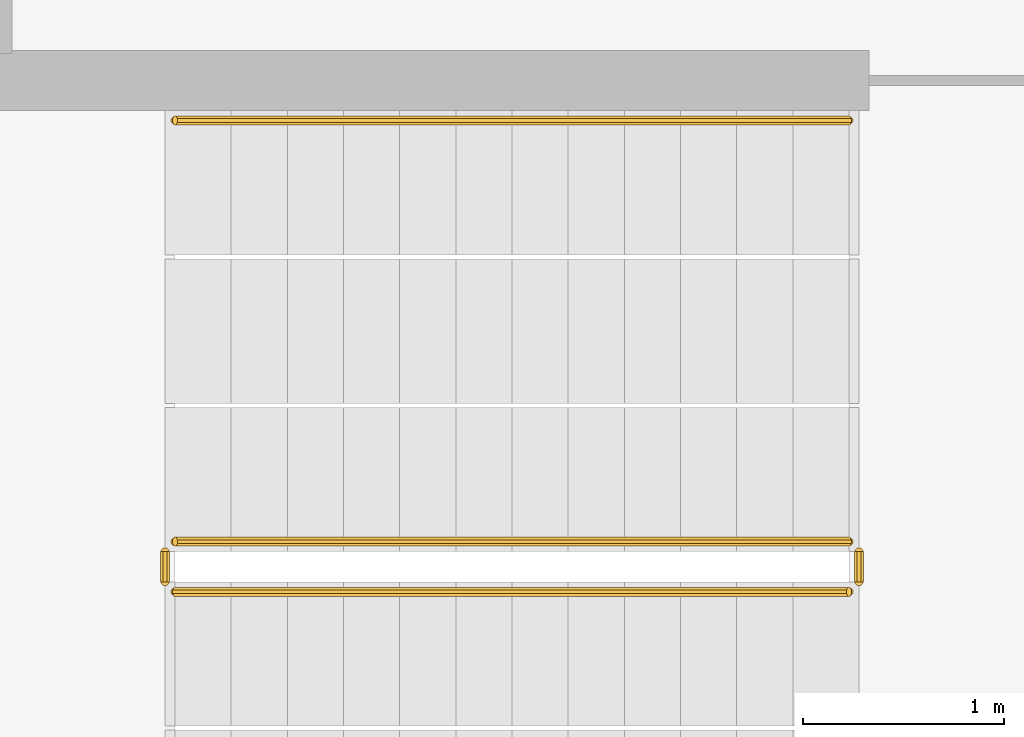
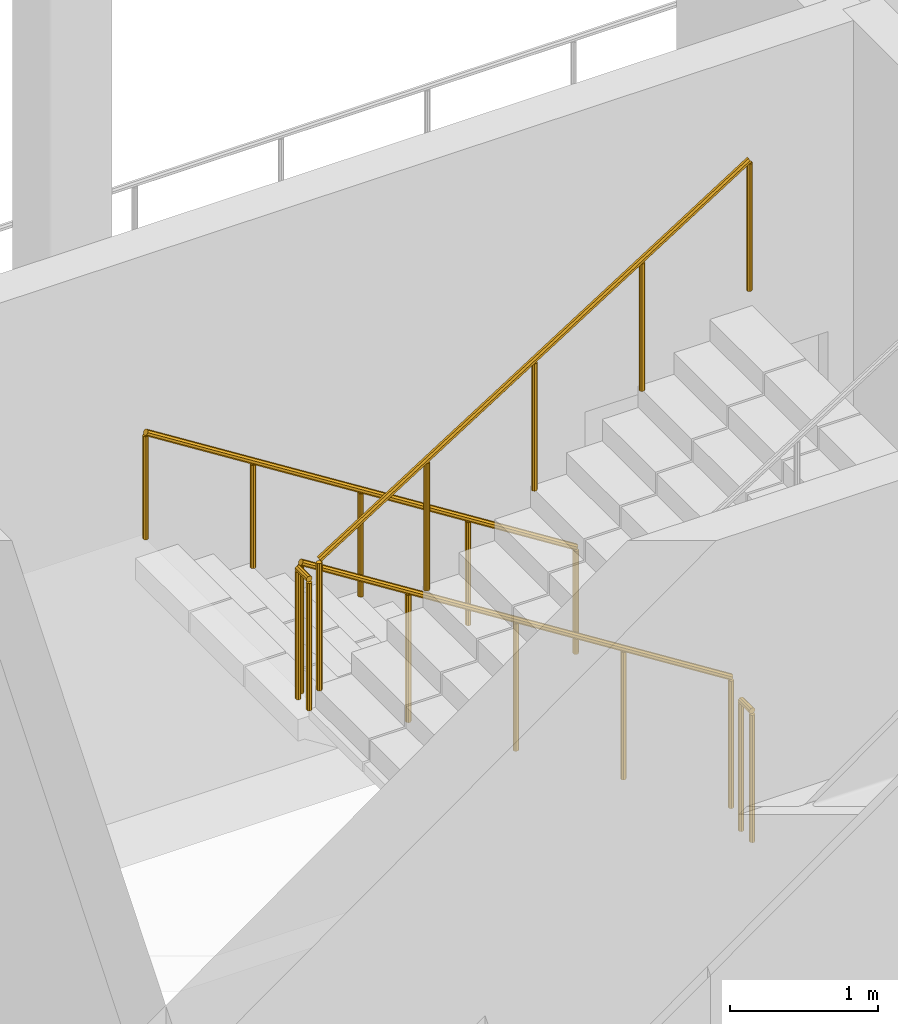
# One storey, part 22 of 31: 5 railings.
"""IFC4 building model written with IfcOpenShell, lengths in metres."""

from ifc_helpers import new_model, si_unit, direction, frame, origin, place, context, subcontext, project, spatial, polyline, outline, extrude, material, type_object, element, save


model = new_model("IFC4")

# Units and contexts
model_context = context("Model", 3, precision=1e-05, world=origin(), true_north=direction((0.0, 1.0)))
body_context = subcontext(model_context, "Body", "Model", "MODEL_VIEW")
ifc_project = project(units=[si_unit("LENGTHUNIT", "METRE"), si_unit("AREAUNIT", "SQUARE_METRE"), si_unit("VOLUMEUNIT", "CUBIC_METRE"), si_unit("PLANEANGLEUNIT", "RADIAN"), si_unit("MASSUNIT", "GRAM", prefix="KILO")], contexts=[model_context])

# Site, building, storey
site_placement = place(None, origin())
site = spatial("IfcSite", under=ifc_project, at=site_placement, CompositionType="ELEMENT")
building_placement = place(site_placement, origin())
building = spatial("IfcBuilding", under=site, at=building_placement, Name="Cormorant Relay Tower", CompositionType="ELEMENT")
storey_placement = place(building_placement, frame((0.0, 0.0, 98.39990234375)))
storey = spatial("IfcBuildingStorey", under=building, at=storey_placement, Name="L19", CompositionType="ELEMENT", Elevation=98.39990234375)

# Railings
ifc_material_1 = material(Name="Steel ASTM A572 Grade 50 (Fy 345 MPa)", Category="steel")
railing_type_1 = type_object("IfcRailingType", Name="Stair guard 1100", PredefinedType="GUARDRAIL", material=ifc_material_1)
railing_1_placement = place(storey_placement, frame((1.60009765625, -18.27490234375, 0.177001953125)))
element("IfcRailing", 1, at=railing_1_placement, inside=storey, type_object=railing_type_1, Name="L19 RK1 stair guard 1", PredefinedType="GUARDRAIL", context=body_context, shape_type="SweptSolid", body=[
    extrude(outline(polyline([(0.022216796875, 0.00927734375), (0.00927734375, 0.022216796875), (-0.00927734375, 0.022216796875), (-0.022216796875, 0.00927734375), (-0.022216796875, -0.00927734375), (-0.00927734375, -0.022216796875), (0.00927734375, -0.022216796875), (0.022216796875, -0.00927734375), (0.022216796875, 0.00927734375)])), frame((0.0, 0.0, 1.076171875), z_axis=(-0.845389635667, 0.0, 0.534150132366), x_axis=(0.0, -1.0, 0.0)), (0.0, 0.0, 1.0), 3.974609375),
    extrude(outline(polyline([(0.019287109375, 0.008056640625), (0.008056640625, 0.019287109375), (-0.008056640625, 0.019287109375), (-0.019287109375, 0.008056640625), (-0.019287109375, -0.008056640625), (-0.008056640625, -0.019287109375), (0.008056640625, -0.019287109375), (0.019287109375, -0.008056640625), (0.019287109375, 0.008056640625)])), origin(), (0.0, 0.0, 1.0), 1.052001953125),
    extrude(outline(polyline([(0.019287109375, 0.008056640625), (0.008056640625, 0.019287109375), (-0.008056640625, 0.019287109375), (-0.019287109375, 0.008056640625), (-0.019287109375, -0.008056640625), (-0.008056640625, -0.019287109375), (0.008056640625, -0.019287109375), (0.019287109375, -0.008056640625), (0.019287109375, 0.008056640625)])), frame((-0.840087890625, 0.0, 0.53076171875)), (0.0, 0.0, 1.0), 1.052001953125),
    extrude(outline(polyline([(0.019287109375, 0.008056640625), (0.008056640625, 0.019287109375), (-0.008056640625, 0.019287109375), (-0.019287109375, 0.008056640625), (-0.019287109375, -0.008056640625), (-0.008056640625, -0.019287109375), (0.008056640625, -0.019287109375), (0.019287109375, -0.008056640625), (0.019287109375, 0.008056640625)])), frame((-1.68017578125, 0.0, 1.0615234375)), (0.0, 0.0, 1.0), 1.052001953125),
    extrude(outline(polyline([(0.019287109375, 0.008056640625), (0.008056640625, 0.019287109375), (-0.008056640625, 0.019287109375), (-0.019287109375, 0.008056640625), (-0.019287109375, -0.008056640625), (-0.008056640625, -0.019287109375), (0.008056640625, -0.019287109375), (0.019287109375, -0.008056640625), (0.019287109375, 0.008056640625)])), frame((-2.52001953125, 0.0, 1.59228515625)), (0.0, 0.0, 1.0), 1.052001953125),
    extrude(outline(polyline([(0.019287109375, 0.008056640625), (0.008056640625, 0.019287109375), (-0.008056640625, 0.019287109375), (-0.019287109375, 0.008056640625), (-0.019287109375, -0.008056640625), (-0.008056640625, -0.019287109375), (0.008056640625, -0.019287109375), (0.019287109375, -0.008056640625), (0.019287109375, 0.008056640625)])), frame((-3.360107421875, 0.0, 2.123046875)), (0.0, 0.0, 1.0), 1.052001953125),
])
railing_2_placement = place(storey_placement, frame((-1.81005859375, -18.324951171875, 2.300048828125)))
element("IfcRailing", 2, at=railing_2_placement, inside=storey, type_object=railing_type_1, Name="L19 RK1 stair guard 2", PredefinedType="GUARDRAIL", context=body_context, shape_type="SweptSolid", body=[
    extrude(outline(polyline([(0.022216796875, 0.00927734375), (0.00927734375, 0.022216796875), (-0.00927734375, 0.022216796875), (-0.022216796875, 0.00927734375), (-0.022216796875, -0.00927734375), (-0.00927734375, -0.022216796875), (0.00927734375, -0.022216796875), (0.022216796875, -0.00927734375), (0.022216796875, 0.00927734375)])), frame((0.0, 0.0, 1.076171875), z_axis=(0.0, -1.0, 0.0), x_axis=(1.0, 0.0, 0.0)), (0.0, 0.0, 1.0), 0.150146484375),
    extrude(outline(polyline([(0.019287109375, 0.008056640625), (0.008056640625, 0.019287109375), (-0.008056640625, 0.019287109375), (-0.019287109375, 0.008056640625), (-0.019287109375, -0.008056640625), (-0.008056640625, -0.019287109375), (0.008056640625, -0.019287109375), (0.019287109375, -0.008056640625), (0.019287109375, 0.008056640625)])), origin(), (0.0, 0.0, 1.0), 1.052001953125),
    extrude(outline(polyline([(0.019287109375, 0.008056640625), (0.008056640625, 0.019287109375), (-0.008056640625, 0.019287109375), (-0.019287109375, 0.008056640625), (-0.019287109375, -0.008056640625), (-0.008056640625, -0.019287109375), (0.008056640625, -0.019287109375), (0.019287109375, -0.008056640625), (0.019287109375, 0.008056640625)])), frame((0.0, -0.150146484375, 0.0)), (0.0, 0.0, 1.0), 1.052001953125),
])
railing_3_placement = place(storey_placement, frame((-1.760009765625, -18.52490234375, 2.47705078125)))
element("IfcRailing", 3, at=railing_3_placement, inside=storey, type_object=railing_type_1, Name="L19 RK1 stair guard 3", PredefinedType="GUARDRAIL", context=body_context, shape_type="SweptSolid", body=[
    extrude(outline(polyline([(0.022216796875, 0.00927734375), (0.00927734375, 0.022216796875), (-0.00927734375, 0.022216796875), (-0.022216796875, 0.00927734375), (-0.022216796875, -0.00927734375), (-0.00927734375, -0.022216796875), (0.00927734375, -0.022216796875), (0.022216796875, -0.00927734375), (0.022216796875, 0.00927734375)])), frame((0.0, 0.0, 1.076171875), z_axis=(0.845389635667, 0.0, 0.534150132366), x_axis=(0.0, 1.0, 0.0)), (0.0, 0.0, 1.0), 3.974609375),
    extrude(outline(polyline([(0.019287109375, 0.008056640625), (0.008056640625, 0.019287109375), (-0.008056640625, 0.019287109375), (-0.019287109375, 0.008056640625), (-0.019287109375, -0.008056640625), (-0.008056640625, -0.019287109375), (0.008056640625, -0.019287109375), (0.019287109375, -0.008056640625), (0.019287109375, 0.008056640625)])), origin(), (0.0, 0.0, 1.0), 1.052001953125),
    extrude(outline(polyline([(0.019287109375, 0.008056640625), (0.008056640625, 0.019287109375), (-0.008056640625, 0.019287109375), (-0.019287109375, 0.008056640625), (-0.019287109375, -0.008056640625), (-0.008056640625, -0.019287109375), (0.008056640625, -0.019287109375), (0.019287109375, -0.008056640625), (0.019287109375, 0.008056640625)])), frame((0.840087890625, 0.0, 0.53076171875)), (0.0, 0.0, 1.0), 1.052001953125),
    extrude(outline(polyline([(0.019287109375, 0.008056640625), (0.008056640625, 0.019287109375), (-0.008056640625, 0.019287109375), (-0.019287109375, 0.008056640625), (-0.019287109375, -0.008056640625), (-0.008056640625, -0.019287109375), (0.008056640625, -0.019287109375), (0.019287109375, -0.008056640625), (0.019287109375, 0.008056640625)])), frame((1.68017578125, 0.0, 1.0615234375)), (0.0, 0.0, 1.0), 1.052001953125),
    extrude(outline(polyline([(0.019287109375, 0.008056640625), (0.008056640625, 0.019287109375), (-0.008056640625, 0.019287109375), (-0.019287109375, 0.008056640625), (-0.019287109375, -0.008056640625), (-0.008056640625, -0.019287109375), (0.008056640625, -0.019287109375), (0.019287109375, -0.008056640625), (0.019287109375, 0.008056640625)])), frame((2.52001953125, 0.0, 1.59228515625)), (0.0, 0.0, 1.0), 1.052001953125),
    extrude(outline(polyline([(0.019287109375, 0.008056640625), (0.008056640625, 0.019287109375), (-0.008056640625, 0.019287109375), (-0.019287109375, 0.008056640625), (-0.019287109375, -0.008056640625), (-0.008056640625, -0.019287109375), (0.008056640625, -0.019287109375), (0.019287109375, -0.008056640625), (0.019287109375, 0.008056640625)])), frame((3.360107421875, 0.0, 2.123046875)), (0.0, 0.0, 1.0), 1.052001953125),
])
railing_4_placement = place(storey_placement, frame((1.64990234375, -18.324951171875, 0.0)))
element("IfcRailing", 4, at=railing_4_placement, inside=storey, type_object=railing_type_1, Name="L19 RK1 stair guard 4", PredefinedType="GUARDRAIL", context=body_context, shape_type="SweptSolid", body=[
    extrude(outline(polyline([(0.022216796875, 0.00927734375), (0.00927734375, 0.022216796875), (-0.00927734375, 0.022216796875), (-0.022216796875, 0.00927734375), (-0.022216796875, -0.00927734375), (-0.00927734375, -0.022216796875), (0.00927734375, -0.022216796875), (0.022216796875, -0.00927734375), (0.022216796875, 0.00927734375)])), frame((0.0, 0.0, 1.076171875), z_axis=(0.0, -1.0, 0.0), x_axis=(1.0, 0.0, 0.0)), (0.0, 0.0, 1.0), 0.150146484375),
    extrude(outline(polyline([(0.019287109375, 0.008056640625), (0.008056640625, 0.019287109375), (-0.008056640625, 0.019287109375), (-0.019287109375, 0.008056640625), (-0.019287109375, -0.008056640625), (-0.008056640625, -0.019287109375), (0.008056640625, -0.019287109375), (0.019287109375, -0.008056640625), (0.019287109375, 0.008056640625)])), origin(), (0.0, 0.0, 1.0), 1.052001953125),
    extrude(outline(polyline([(0.019287109375, 0.008056640625), (0.008056640625, 0.019287109375), (-0.008056640625, 0.019287109375), (-0.019287109375, 0.008056640625), (-0.019287109375, -0.008056640625), (-0.008056640625, -0.019287109375), (0.008056640625, -0.019287109375), (0.019287109375, -0.008056640625), (0.019287109375, 0.008056640625)])), frame((0.0, -0.150146484375, 0.0)), (0.0, 0.0, 1.0), 1.052001953125),
])
ifc_material_2 = material(Name="Steel ASTM A572 Grade 50 (Fy 345 MPa)", Category="steel")
railing_type_2 = type_object("IfcRailingType", Name="Stair handrail 900", PredefinedType="HANDRAIL", material=ifc_material_2)
railing_5_placement = place(storey_placement, frame((1.60009765625, -16.175048828125, 0.177001953125)))
element("IfcRailing", 5, at=railing_5_placement, inside=storey, type_object=railing_type_2, Name="L19 RK1 stair handrail 1", PredefinedType="HANDRAIL", context=body_context, shape_type="SweptSolid", body=[
    extrude(outline(polyline([(0.022216796875, 0.00927734375), (0.00927734375, 0.022216796875), (-0.00927734375, 0.022216796875), (-0.022216796875, 0.00927734375), (-0.022216796875, -0.00927734375), (-0.00927734375, -0.022216796875), (0.00927734375, -0.022216796875), (0.022216796875, -0.00927734375), (0.022216796875, 0.00927734375)])), frame((0.0, 0.0, 0.8759765625), z_axis=(-0.845389635667, 0.0, 0.534150132366), x_axis=(0.0, -1.0, 0.0)), (0.0, 0.0, 1.0), 3.974609375),
    extrude(outline(polyline([(0.019287109375, 0.008056640625), (0.008056640625, 0.019287109375), (-0.008056640625, 0.019287109375), (-0.019287109375, 0.008056640625), (-0.019287109375, -0.008056640625), (-0.008056640625, -0.019287109375), (0.008056640625, -0.019287109375), (0.019287109375, -0.008056640625), (0.019287109375, 0.008056640625)])), origin(), (0.0, 0.0, 1.0), 0.851806640625),
    extrude(outline(polyline([(0.019287109375, 0.008056640625), (0.008056640625, 0.019287109375), (-0.008056640625, 0.019287109375), (-0.019287109375, 0.008056640625), (-0.019287109375, -0.008056640625), (-0.008056640625, -0.019287109375), (0.008056640625, -0.019287109375), (0.019287109375, -0.008056640625), (0.019287109375, 0.008056640625)])), frame((-0.840087890625, 0.0, 0.53076171875)), (0.0, 0.0, 1.0), 0.851806640625),
    extrude(outline(polyline([(0.019287109375, 0.008056640625), (0.008056640625, 0.019287109375), (-0.008056640625, 0.019287109375), (-0.019287109375, 0.008056640625), (-0.019287109375, -0.008056640625), (-0.008056640625, -0.019287109375), (0.008056640625, -0.019287109375), (0.019287109375, -0.008056640625), (0.019287109375, 0.008056640625)])), frame((-1.68017578125, 0.0, 1.0615234375)), (0.0, 0.0, 1.0), 0.851806640625),
    extrude(outline(polyline([(0.019287109375, 0.008056640625), (0.008056640625, 0.019287109375), (-0.008056640625, 0.019287109375), (-0.019287109375, 0.008056640625), (-0.019287109375, -0.008056640625), (-0.008056640625, -0.019287109375), (0.008056640625, -0.019287109375), (0.019287109375, -0.008056640625), (0.019287109375, 0.008056640625)])), frame((-2.52001953125, 0.0, 1.59228515625)), (0.0, 0.0, 1.0), 0.851806640625),
    extrude(outline(polyline([(0.019287109375, 0.008056640625), (0.008056640625, 0.019287109375), (-0.008056640625, 0.019287109375), (-0.019287109375, 0.008056640625), (-0.019287109375, -0.008056640625), (-0.008056640625, -0.019287109375), (0.008056640625, -0.019287109375), (0.019287109375, -0.008056640625), (0.019287109375, 0.008056640625)])), frame((-3.360107421875, 0.0, 2.123046875)), (0.0, 0.0, 1.0), 0.851806640625),
])

save(model, "model.ifc")
